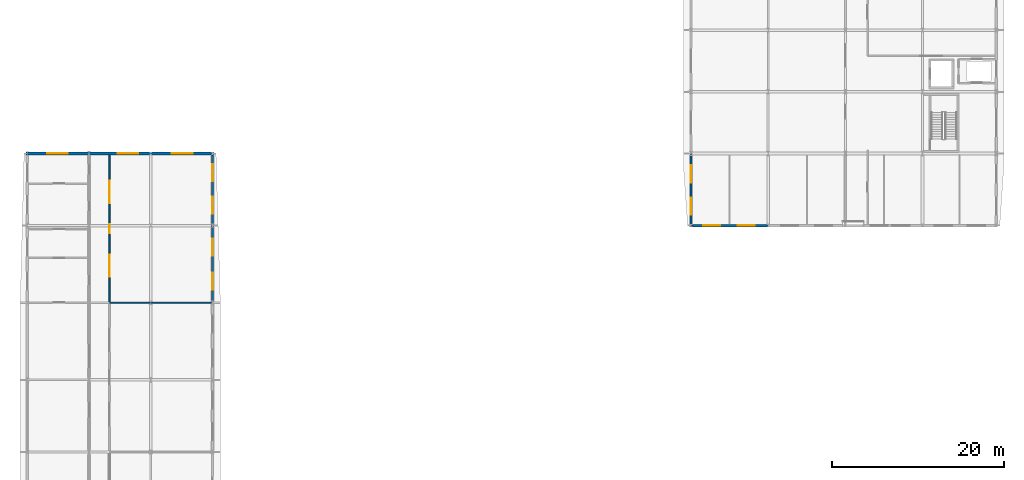
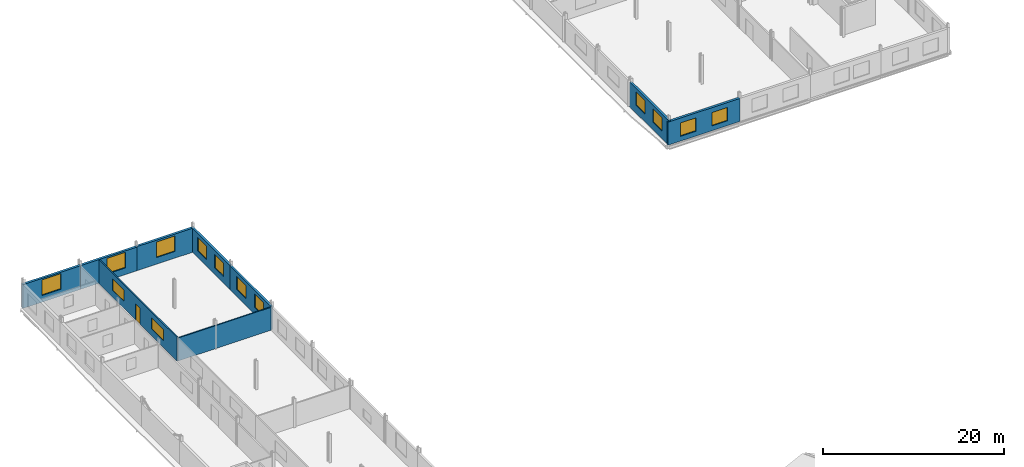
# One storey, part 43 of 49: 13 windows, 9 walls, 1 door, 14 openings.
"""IFC4 building model written with IfcOpenShell, lengths in metres."""

import ifcopenshell
import ifcopenshell.guid

model = None  # the IFC model being written
_history = None  # IfcOwnerHistory: only IFC2X3 demands one
_inside = {}  # id of a spatial element -> (the spatial element, [elements in it])
_under = {}  # id of a project, library or spatial element -> (it, [spatial elements below it])
_declared = {}  # id of a project -> (the project, [libraries it declares])
_typed = {}  # id of a type object -> (the type object, [elements of that type])
_made_of = {}  # id of a material, layer set ... -> (it, [elements and type objects made of it])


def new_model(schema):
    """Start an empty IFC model of exactly this schema.

    Asked for "IFC4X3", IfcOpenShell would pick the latest addendum, in which some entities
    have other attributes; the version numbers below select the first issue.
    IFC2X3 requires an IfcOwnerHistory on every rooted entity: one is made here for all.
    """
    global model, _history
    if schema == "IFC4X3":
        model = ifcopenshell.file(schema_version=(4, 3, 0, 0))
    else:
        model = ifcopenshell.file(schema=schema)
    _inside.clear()
    _under.clear()
    _declared.clear()
    _typed.clear()
    _made_of.clear()
    _history = None
    if model.schema == "IFC2X3":
        org = make("IfcOrganization", Name="unknown")
        user = make(
            "IfcPersonAndOrganization",
            ThePerson=make("IfcPerson", FamilyName="unknown"),
            TheOrganization=org,
        )
        app = make(
            "IfcApplication",
            ApplicationDeveloper=org,
            Version="unknown",
            ApplicationFullName="unknown",
            ApplicationIdentifier="unknown",
        )
        _history = make(
            "IfcOwnerHistory",
            OwningUser=user,
            OwningApplication=app,
            ChangeAction="ADDED",
            CreationDate=0,
        )
    return model


def make(cls, **values):
    """One entity of the class cls with the attributes given. An attribute that is None is left unset."""
    return model.create_entity(
        cls, **{name: value for name, value in values.items() if value is not None}
    )


def rooted(cls, **values):
    """An entity with a GlobalId (a new one), such as an element, a storey or a relation."""
    return make(cls, GlobalId=ifcopenshell.guid.new(), OwnerHistory=_history, **values)


def si_unit(unit_type, name, prefix=None):
    """IfcSIUnit, for example si_unit("LENGTHUNIT", "METRE", prefix="MILLI")."""
    return make("IfcSIUnit", UnitType=unit_type, Prefix=prefix, Name=name)


def assignment(units):
    """IfcUnitAssignment: the units of a project."""
    return None if units is None else make("IfcUnitAssignment", Units=units)


def point(xyz):
    """IfcCartesianPoint."""
    return None if xyz is None else make("IfcCartesianPoint", Coordinates=xyz)


def direction(xyz):
    """IfcDirection."""
    return None if xyz is None else make("IfcDirection", DirectionRatios=xyz)


def frame(location, z_axis=None, x_axis=None):
    """IfcAxis2Placement3D, a coordinate frame: its origin and axes. An axis left out is left unset."""
    return make(
        "IfcAxis2Placement3D",
        Location=point(location),
        Axis=direction(z_axis),
        RefDirection=direction(x_axis),
    )


def frame_2d(location, x_axis=None):
    """IfcAxis2Placement2D, a coordinate frame in the plane: its origin and x axis."""
    return make(
        "IfcAxis2Placement2D", Location=point(location), RefDirection=direction(x_axis)
    )


def origin():
    """The frame at (0, 0, 0) with its axes left unset."""
    return frame((0.0, 0.0, 0.0))


def place(relative_to, where):
    """IfcLocalPlacement: puts the frame where relative to a parent placement (None: the world)."""
    return make(
        "IfcLocalPlacement", PlacementRelTo=relative_to, RelativePlacement=where
    )


def context(
    kind, dimensions, precision=None, world=None, true_north=None, identifier=None
):
    """IfcGeometricRepresentationContext, for example the 3D "Model" context."""
    return make(
        "IfcGeometricRepresentationContext",
        ContextIdentifier=identifier,
        ContextType=kind,
        CoordinateSpaceDimension=dimensions,
        Precision=precision,
        WorldCoordinateSystem=world,
        TrueNorth=true_north,
    )


def subcontext(parent, identifier, kind, view, scale=None):
    """IfcGeometricRepresentationSubContext, for example "Body" below "Model"."""
    return make(
        "IfcGeometricRepresentationSubContext",
        ContextIdentifier=identifier,
        ContextType=kind,
        ParentContext=parent,
        TargetScale=scale,
        TargetView=view,
    )


def project(units=None, contexts=None):
    """IfcProject with its units and contexts."""
    return rooted(
        "IfcProject",
        Name="project",
        RepresentationContexts=contexts,
        UnitsInContext=assignment(units),
    )


def spatial(cls, under=None, at=None, **own):
    """A site, building, storey or space (cls), placed at a placement, below another one or the project."""
    s = rooted(cls, ObjectPlacement=at, **own)
    if under is not None:
        _under.setdefault(under.id(), (under, []))[1].append(s)
    return s


def profile(cls, at=None, kind="AREA", **sizes):
    """A parametric profile (cls). Its sizes go by their IFC names, for example OverallWidth=200.0."""
    return make(cls, ProfileType=kind, Position=at, **sizes)


def rectangle(**sizes):
    """IfcRectangleProfileDef."""
    return profile("IfcRectangleProfileDef", **sizes)


def extrude(swept, where, along, depth):
    """IfcExtrudedAreaSolid: the profile swept, set in the frame where, extruded along a direction by depth."""
    return make(
        "IfcExtrudedAreaSolid",
        SweptArea=swept,
        Position=where,
        ExtrudedDirection=direction(along),
        Depth=depth,
    )


def shape(context_of_items, identifier, shape_type, items):
    """IfcShapeRepresentation: the items that make up one representation, for example the "Body"."""
    return make(
        "IfcShapeRepresentation",
        ContextOfItems=context_of_items,
        RepresentationIdentifier=identifier,
        RepresentationType=shape_type,
        Items=items,
    )


def material(Name=None, Category=None):
    """IfcMaterial."""
    return make("IfcMaterial", Name=Name, Category=Category)


def layer(
    of_material, thickness, ventilated=None, Name=None, Category=None, Priority=None
):
    """IfcMaterialLayer: one layer of a wall or slab, of a material (None: an air gap)."""
    return make(
        "IfcMaterialLayer",
        Material=of_material,
        LayerThickness=thickness,
        IsVentilated=ventilated,
        Name=Name,
        Category=Category,
        Priority=Priority,
    )


def layer_set(layers, Name=None):
    """IfcMaterialLayerSet."""
    return make("IfcMaterialLayerSet", MaterialLayers=layers, LayerSetName=Name)


def made_of(thing, what):
    """Note that an element or type object is made of a material, layer set ...; save() writes the relation."""
    if what is not None:
        _made_of.setdefault(what.id(), (what, []))[1].append(thing)
    return thing


def type_object(cls, material=None, **own):
    """A type object (cls), such as IfcWallType, which elements share."""
    return made_of(rooted(cls, **own), material)


def element(
    cls,
    number,
    at=None,
    inside=None,
    cuts=None,
    type_object=None,
    material=None,
    context=None,
    identifier="Body",
    shape_type=None,
    held_by="IfcProductDefinitionShape",
    body=None,
    shapes=None,
    **own,
):
    """One element of the class cls, such as IfcWall. Its Tag is "e" and its number.

    at: its placement. inside: the storey or other place that contains it. cuts: it is an
    opening in that element (IfcRelVoidsElement). A single representation is given by context,
    identifier, shape_type and body (its items); several are given by shapes. held_by: the class
    of the entity that holds the representations. save() writes the other relations.
    """
    e = rooted(cls, Tag="e%d" % number, ObjectPlacement=at, **own)
    if body is not None:
        shapes = [shape(context, identifier, shape_type, body)]
    if shapes is not None:
        e.Representation = make(held_by, Representations=shapes)
    if inside is not None:
        _inside.setdefault(inside.id(), (inside, []))[1].append(e)
    if cuts is not None:
        rooted(
            "IfcRelVoidsElement", RelatingBuildingElement=cuts, RelatedOpeningElement=e
        )
    if type_object is not None:
        _typed.setdefault(type_object.id(), (type_object, []))[1].append(e)
    return made_of(e, material)


def fill(opening, filler):
    """IfcRelFillsElement: the door or window that sits in an opening."""
    return rooted(
        "IfcRelFillsElement",
        RelatingOpeningElement=opening,
        RelatedBuildingElement=filler,
    )


def aggregate(whole, parts):
    """IfcRelAggregates: a whole, such as a stair, and the parts it consists of."""
    return rooted("IfcRelAggregates", RelatingObject=whole, RelatedObjects=parts)


def save(model, path):
    """Write the relations noted so far, then the file.

    IfcRelAggregates (storeys below a building ...), IfcRelContainedInSpatialStructure (elements
    in a storey), IfcRelDefinesByType, IfcRelAssociatesMaterial and IfcRelDeclares: one each for
    every whole, place, type object, material and project.
    """
    for whole, parts in _under.values():
        aggregate(whole, parts)
    for where, things in _inside.values():
        rooted(
            "IfcRelContainedInSpatialStructure",
            RelatedElements=things,
            RelatingStructure=where,
        )
    for kind, things in _typed.values():
        rooted("IfcRelDefinesByType", RelatedObjects=things, RelatingType=kind)
    for what, things in _made_of.values():
        rooted("IfcRelAssociatesMaterial", RelatedObjects=things, RelatingMaterial=what)
    for by, libraries in _declared.values():
        rooted("IfcRelDeclares", RelatingContext=by, RelatedDefinitions=libraries)
    model.write(path)


model = new_model("IFC4")

# Units and contexts
model_context = context("Model", 3, precision=1e-05, world=origin(), true_north=direction((0.0, 1.0)))
body_context = subcontext(model_context, "Body", "Model", "MODEL_VIEW")
ifc_project = project(units=[si_unit("LENGTHUNIT", "METRE"), si_unit("AREAUNIT", "SQUARE_METRE"), si_unit("VOLUMEUNIT", "CUBIC_METRE"), si_unit("PLANEANGLEUNIT", "RADIAN"), si_unit("MASSUNIT", "GRAM", prefix="KILO")], contexts=[model_context])

# Site, building, storey
site_placement = place(None, origin())
site = spatial("IfcSite", under=ifc_project, at=site_placement, CompositionType="ELEMENT")
building_placement = place(site_placement, origin())
building = spatial("IfcBuilding", under=site, at=building_placement, Name="Vinh Khe Railworks Police Headquarters", CompositionType="ELEMENT")
storey_placement = place(building_placement, frame((0.0, 0.0, 17.10009765625)))
storey = spatial("IfcBuildingStorey", under=building, at=storey_placement, Name="L04", CompositionType="ELEMENT", Elevation=17.10009765625)

# Wall, openings, windows
ifc_material_1 = material(Name="Clay brickwork", Category="masonry")
ifc_layer_1 = layer(ifc_material_1, 0.260009765625)
ifc_layer_set_1 = layer_set([ifc_layer_1], Name="Clay brickwork")
wall_type_1 = type_object("IfcWallType", Name="EW-BRK-260", PredefinedType="SOLIDWALL", material=ifc_layer_set_1)
wall_1_placement = place(storey_placement, frame((22.199951171875, 113.39990234375, 0.0), z_axis=(0.0, 0.0, 1.0), x_axis=(0.0, 1.0, 0.0)))
wall_1 = element("IfcWall", 1, at=wall_1_placement, inside=storey, type_object=wall_type_1, Name="Exterior Brick Wall EW-L04-V5E-15", PredefinedType="SOLIDWALL", context=body_context, shape_type="SweptSolid", body=[
    extrude(rectangle(XDim=9.0, YDim=0.260009765625, at=frame_2d((4.5, 0.0))), origin(), (0.0, 0.0, 1.0), 3.204833984375),
])
opening_1_placement = place(wall_1_placement, frame((1.52001953125, 0.0, 0.89990234375)))
opening_1 = element("IfcOpeningElement", 2, at=opening_1_placement, cuts=wall_1, Name="Opening WN-04", PredefinedType="OPENING", context=body_context, shape_type="SweptSolid", body=[
    extrude(rectangle(XDim=2.0, YDim=1.800048828125, at=frame_2d((1.0, 0.89990234375))), frame((0.0, 0.14501953125, 0.0), z_axis=(0.0, -1.0, 0.0), x_axis=(1.0, 0.0, 0.0)), (0.0, 0.0, 1.0), 0.289794921875),
])
opening_2_placement = place(wall_1_placement, frame((5.47998046875, 0.0, 0.89990234375)))
opening_2 = element("IfcOpeningElement", 3, at=opening_2_placement, cuts=wall_1, Name="Opening WN-04", PredefinedType="OPENING", context=body_context, shape_type="SweptSolid", body=[
    extrude(rectangle(XDim=2.0, YDim=1.800048828125, at=frame_2d((1.0, 0.89990234375))), frame((0.0, 0.14501953125, 0.0), z_axis=(0.0, -1.0, 0.0), x_axis=(1.0, 0.0, 0.0)), (0.0, 0.0, 1.0), 0.289794921875),
])
ifc_material_2 = material(Name="Double-glazed solar-control glass in dark steel frame", Category="steel")
window_type_1 = type_object("IfcWindowType", Name="WIN-WN-04", PartitioningType="DOUBLE_PANEL_VERTICAL", PredefinedType="WINDOW", material=ifc_material_2)
window_1_placement = place(opening_1_placement, origin())
window_1 = element("IfcWindow", 4, at=window_1_placement, inside=storey, type_object=window_type_1, Name="Casement Window WN-04", OverallHeight=1.800048828125, OverallWidth=2.0, PartitioningType="SINGLE_PANEL", PredefinedType="WINDOW", context=body_context, shape_type="SweptSolid", body=[
    extrude(rectangle(XDim=2.0, YDim=1.800048828125, at=frame_2d((1.0, 0.89990234375))), frame((0.0, 0.030029296875, 0.0), z_axis=(0.0, -1.0, 0.0), x_axis=(1.0, 0.0, 0.0)), (0.0, 0.0, 1.0), 0.06005859375),
])
fill(opening_1, window_1)
window_2_placement = place(opening_2_placement, origin())
window_2 = element("IfcWindow", 5, at=window_2_placement, inside=storey, type_object=window_type_1, Name="Casement Window WN-04", OverallHeight=1.800048828125, OverallWidth=2.0, PartitioningType="SINGLE_PANEL", PredefinedType="WINDOW", context=body_context, shape_type="SweptSolid", body=[
    extrude(rectangle(XDim=2.0, YDim=1.800048828125, at=frame_2d((1.0, 0.89990234375))), frame((0.0, 0.030029296875, 0.0), z_axis=(0.0, -1.0, 0.0), x_axis=(1.0, 0.0, 0.0)), (0.0, 0.0, 1.0), 0.06005859375),
])
fill(opening_2, window_2)

wall_2_placement = place(storey_placement, frame((22.199951171875, 122.39990234375, 0.0), z_axis=(0.0, 0.0, 1.0), x_axis=(0.0, 1.0, 0.0)))
wall_2 = element("IfcWall", 6, at=wall_2_placement, inside=storey, type_object=wall_type_1, Name="Exterior Brick Wall EW-L04-V5E-16", PredefinedType="SOLIDWALL", context=body_context, shape_type="SweptSolid", body=[
    extrude(rectangle(XDim=8.530029296875, YDim=0.260009765625, at=frame_2d((4.26513671875, 0.0))), origin(), (0.0, 0.0, 1.0), 3.2548828125),
])
opening_3_placement = place(wall_2_placement, frame((1.388427734375, 0.0, 0.89990234375)))
opening_3 = element("IfcOpeningElement", 7, at=opening_3_placement, cuts=wall_2, Name="Opening WN-04", PredefinedType="OPENING", context=body_context, shape_type="SweptSolid", body=[
    extrude(rectangle(XDim=2.0, YDim=1.800048828125, at=frame_2d((1.0, 0.89990234375))), frame((0.0, 0.14501953125, 0.0), z_axis=(0.0, -1.0, 0.0), x_axis=(1.0, 0.0, 0.0)), (0.0, 0.0, 1.0), 0.289794921875),
])
opening_4_placement = place(wall_2_placement, frame((5.1416015625, 0.0, 0.89990234375)))
opening_4 = element("IfcOpeningElement", 8, at=opening_4_placement, cuts=wall_2, Name="Opening WN-04", PredefinedType="OPENING", context=body_context, shape_type="SweptSolid", body=[
    extrude(rectangle(XDim=2.0, YDim=1.800048828125, at=frame_2d((1.0, 0.89990234375))), frame((0.0, 0.14501953125, 0.0), z_axis=(0.0, -1.0, 0.0), x_axis=(1.0, 0.0, 0.0)), (0.0, 0.0, 1.0), 0.289794921875),
])
window_3_placement = place(opening_3_placement, origin())
window_3 = element("IfcWindow", 9, at=window_3_placement, inside=storey, type_object=window_type_1, Name="Casement Window WN-04", OverallHeight=1.800048828125, OverallWidth=2.0, PartitioningType="SINGLE_PANEL", PredefinedType="WINDOW", context=body_context, shape_type="SweptSolid", body=[
    extrude(rectangle(XDim=2.0, YDim=1.800048828125, at=frame_2d((1.0, 0.89990234375))), frame((0.0, 0.030029296875, 0.0), z_axis=(0.0, -1.0, 0.0), x_axis=(1.0, 0.0, 0.0)), (0.0, 0.0, 1.0), 0.06005859375),
])
fill(opening_3, window_3)
window_4_placement = place(opening_4_placement, origin())
window_4 = element("IfcWindow", 10, at=window_4_placement, inside=storey, type_object=window_type_1, Name="Casement Window WN-04", OverallHeight=1.800048828125, OverallWidth=2.0, PartitioningType="SINGLE_PANEL", PredefinedType="WINDOW", context=body_context, shape_type="SweptSolid", body=[
    extrude(rectangle(XDim=2.0, YDim=1.800048828125, at=frame_2d((1.0, 0.89990234375))), frame((0.0, 0.030029296875, 0.0), z_axis=(0.0, -1.0, 0.0), x_axis=(1.0, 0.0, 0.0)), (0.0, 0.0, 1.0), 0.06005859375),
])
fill(opening_4, window_4)

wall_3_placement = place(storey_placement, frame((78.0, 122.27001953125, 0.0), z_axis=(0.0, 0.0, 1.0), x_axis=(0.0, 1.0, 0.0)))
wall_3 = element("IfcWall", 11, at=wall_3_placement, inside=storey, type_object=wall_type_1, Name="Exterior Brick Wall EW-L04-V6W-01", PredefinedType="SOLIDWALL", context=body_context, shape_type="SweptSolid", body=[
    extrude(rectangle(XDim=8.530029296875, YDim=0.260009765625, at=frame_2d((4.26513671875, 0.0))), origin(), (0.0, 0.0, 1.0), 3.344970703125),
])
opening_5_placement = place(wall_3_placement, frame((1.388427734375, 0.0, 1.050048828125)))
opening_5 = element("IfcOpeningElement", 12, at=opening_5_placement, cuts=wall_3, Name="Opening WN-04", PredefinedType="OPENING", context=body_context, shape_type="SweptSolid", body=[
    extrude(rectangle(XDim=2.0, YDim=1.800048828125, at=frame_2d((1.0, 0.89990234375))), frame((0.0, 0.14501953125, 0.0), z_axis=(0.0, -1.0, 0.0), x_axis=(1.0, 0.0, 0.0)), (0.0, 0.0, 1.0), 0.289794921875),
])
opening_6_placement = place(wall_3_placement, frame((5.1416015625, 0.0, 1.050048828125)))
opening_6 = element("IfcOpeningElement", 13, at=opening_6_placement, cuts=wall_3, Name="Opening WN-04", PredefinedType="OPENING", context=body_context, shape_type="SweptSolid", body=[
    extrude(rectangle(XDim=2.0, YDim=1.800048828125, at=frame_2d((1.0, 0.89990234375))), frame((0.0, 0.14501953125, 0.0), z_axis=(0.0, -1.0, 0.0), x_axis=(1.0, 0.0, 0.0)), (0.0, 0.0, 1.0), 0.289794921875),
])
window_5_placement = place(opening_5_placement, origin())
window_5 = element("IfcWindow", 14, at=window_5_placement, inside=storey, type_object=window_type_1, Name="Casement Window WN-04", OverallHeight=1.800048828125, OverallWidth=2.0, PartitioningType="SINGLE_PANEL", PredefinedType="WINDOW", context=body_context, shape_type="SweptSolid", body=[
    extrude(rectangle(XDim=2.0, YDim=1.800048828125, at=frame_2d((1.0, 0.89990234375))), frame((0.0, 0.030029296875, 0.0), z_axis=(0.0, -1.0, 0.0), x_axis=(1.0, 0.0, 0.0)), (0.0, 0.0, 1.0), 0.06005859375),
])
fill(opening_5, window_5)
window_6_placement = place(opening_6_placement, origin())
window_6 = element("IfcWindow", 15, at=window_6_placement, inside=storey, type_object=window_type_1, Name="Casement Window WN-04", OverallHeight=1.800048828125, OverallWidth=2.0, PartitioningType="SINGLE_PANEL", PredefinedType="WINDOW", context=body_context, shape_type="SweptSolid", body=[
    extrude(rectangle(XDim=2.0, YDim=1.800048828125, at=frame_2d((1.0, 0.89990234375))), frame((0.0, 0.030029296875, 0.0), z_axis=(0.0, -1.0, 0.0), x_axis=(1.0, 0.0, 0.0)), (0.0, 0.0, 1.0), 0.06005859375),
])
fill(opening_6, window_6)

# Wall, opening, window
ifc_layer_2 = layer(ifc_material_1, 0.300048828125)
ifc_layer_set_2 = layer_set([ifc_layer_2], Name="Clay brickwork")
wall_type_2 = type_object("IfcWallType", Name="EW-BRK-300", PredefinedType="SOLIDWALL", material=ifc_layer_set_2)
wall_4_placement = place(storey_placement, frame((0.449951171875, 130.800048828125, 0.0), z_axis=(0.0, 0.0, 1.0), x_axis=(1.0, 0.0, 0.0)))
wall_4 = element("IfcWall", 16, at=wall_4_placement, inside=storey, type_object=wall_type_2, Name="Exterior Brick Wall EW-L04-V5N-01", PredefinedType="SOLIDWALL", context=body_context, shape_type="SweptSolid", body=[
    extrude(rectangle(XDim=7.35009765625, YDim=0.300048828125, at=frame_2d((3.675048828125, 0.0))), origin(), (0.0, 0.0, 1.0), 3.19482421875),
])
opening_7_placement = place(wall_4_placement, frame((2.47509765625, 0.0, 0.89990234375)))
opening_7 = element("IfcOpeningElement", 17, at=opening_7_placement, cuts=wall_4, Name="Opening WN-02", PredefinedType="OPENING", context=body_context, shape_type="SweptSolid", body=[
    extrude(rectangle(XDim=2.39990234375, YDim=2.10009765625, at=frame_2d((1.199951171875, 1.050048828125))), frame((0.0, 0.1650390625, 0.0), z_axis=(0.0, -1.0, 0.0), x_axis=(1.0, 0.0, 0.0)), (0.0, 0.0, 1.0), 0.329833984375),
])
window_type_2 = type_object("IfcWindowType", Name="WIN-WN-02", PartitioningType="DOUBLE_PANEL_VERTICAL", PredefinedType="WINDOW", material=ifc_material_2)
window_7_placement = place(opening_7_placement, origin())
window_7 = element("IfcWindow", 18, at=window_7_placement, inside=storey, type_object=window_type_2, Name="Casement Window WN-02", OverallHeight=2.10009765625, OverallWidth=2.39990234375, PartitioningType="SINGLE_PANEL", PredefinedType="WINDOW", context=body_context, shape_type="SweptSolid", body=[
    extrude(rectangle(XDim=2.39990234375, YDim=2.10009765625, at=frame_2d((1.199951171875, 1.050048828125))), frame((0.0, 0.030029296875, 0.0), z_axis=(0.0, -1.0, 0.0), x_axis=(1.0, 0.0, 0.0)), (0.0, 0.0, 1.0), 0.06005859375),
])
fill(opening_7, window_7)

wall_5_placement = place(storey_placement, frame((7.800048828125, 130.800048828125, 0.0), z_axis=(0.0, 0.0, 1.0), x_axis=(1.0, 0.0, 0.0)))
wall_5 = element("IfcWall", 19, at=wall_5_placement, inside=storey, type_object=wall_type_2, Name="Exterior Brick Wall EW-L04-V5N-02", PredefinedType="SOLIDWALL", context=body_context, shape_type="SweptSolid", body=[
    extrude(rectangle(XDim=7.199951171875, YDim=0.300048828125, at=frame_2d((3.60009765625, 0.0))), origin(), (0.0, 0.0, 1.0), 3.19482421875),
])
opening_8_placement = place(wall_5_placement, frame((3.35009765625, 0.0, 0.89990234375)))
opening_8 = element("IfcOpeningElement", 20, at=opening_8_placement, cuts=wall_5, Name="Opening WN-02", PredefinedType="OPENING", context=body_context, shape_type="SweptSolid", body=[
    extrude(rectangle(XDim=2.39990234375, YDim=2.10009765625, at=frame_2d((1.199951171875, 1.050048828125))), frame((0.0, 0.1650390625, 0.0), z_axis=(0.0, -1.0, 0.0), x_axis=(1.0, 0.0, 0.0)), (0.0, 0.0, 1.0), 0.329833984375),
])
window_8_placement = place(opening_8_placement, origin())
window_8 = element("IfcWindow", 21, at=window_8_placement, inside=storey, type_object=window_type_2, Name="Casement Window WN-02", OverallHeight=2.10009765625, OverallWidth=2.39990234375, PartitioningType="SINGLE_PANEL", PredefinedType="WINDOW", context=body_context, shape_type="SweptSolid", body=[
    extrude(rectangle(XDim=2.39990234375, YDim=2.10009765625, at=frame_2d((1.199951171875, 1.050048828125))), frame((0.0, 0.030029296875, 0.0), z_axis=(0.0, -1.0, 0.0), x_axis=(1.0, 0.0, 0.0)), (0.0, 0.0, 1.0), 0.06005859375),
])
fill(opening_8, window_8)

wall_6_placement = place(storey_placement, frame((15.0, 130.800048828125, 0.0), z_axis=(0.0, 0.0, 1.0), x_axis=(1.0, 0.0, 0.0)))
wall_6 = element("IfcWall", 22, at=wall_6_placement, inside=storey, type_object=wall_type_2, Name="Exterior Brick Wall EW-L04-V5N-03", PredefinedType="SOLIDWALL", context=body_context, shape_type="SweptSolid", body=[
    extrude(rectangle(XDim=7.35009765625, YDim=0.300048828125, at=frame_2d((3.675048828125, 0.0))), origin(), (0.0, 0.0, 1.0), 3.244873046875),
])
opening_9_placement = place(wall_6_placement, frame((2.47509765625, 0.0, 0.89990234375)))
opening_9 = element("IfcOpeningElement", 23, at=opening_9_placement, cuts=wall_6, Name="Opening WN-02", PredefinedType="OPENING", context=body_context, shape_type="SweptSolid", body=[
    extrude(rectangle(XDim=2.39990234375, YDim=2.10009765625, at=frame_2d((1.199951171875, 1.050048828125))), frame((0.0, 0.1650390625, 0.0), z_axis=(0.0, -1.0, 0.0), x_axis=(1.0, 0.0, 0.0)), (0.0, 0.0, 1.0), 0.329833984375),
])
window_9_placement = place(opening_9_placement, origin())
window_9 = element("IfcWindow", 24, at=window_9_placement, inside=storey, type_object=window_type_2, Name="Casement Window WN-02", OverallHeight=2.10009765625, OverallWidth=2.39990234375, PartitioningType="SINGLE_PANEL", PredefinedType="WINDOW", context=body_context, shape_type="SweptSolid", body=[
    extrude(rectangle(XDim=2.39990234375, YDim=2.10009765625, at=frame_2d((1.199951171875, 1.050048828125))), frame((0.0, 0.030029296875, 0.0), z_axis=(0.0, -1.0, 0.0), x_axis=(1.0, 0.0, 0.0)), (0.0, 0.0, 1.0), 0.06005859375),
])
fill(opening_9, window_9)

# Wall, openings, windows
wall_7_placement = place(storey_placement, frame((77.85009765625, 122.39990234375, 0.0), z_axis=(0.0, 0.0, 1.0), x_axis=(1.0, 0.0, 0.0)))
wall_7 = element("IfcWall", 25, at=wall_7_placement, inside=storey, type_object=wall_type_2, Name="Exterior Brick Wall EW-L04-V6S-01", PredefinedType="SOLIDWALL", context=body_context, shape_type="SweptSolid", body=[
    extrude(rectangle(XDim=9.14990234375, YDim=0.300048828125, at=frame_2d((4.574951171875, 0.0))), origin(), (0.0, 0.0, 1.0), 3.10498046875),
])
opening_10_placement = place(wall_7_placement, frame((1.56201171875, 0.0, 0.64990234375)))
opening_10 = element("IfcOpeningElement", 26, at=opening_10_placement, cuts=wall_7, Name="Opening WN-04", PredefinedType="OPENING", context=body_context, shape_type="SweptSolid", body=[
    extrude(rectangle(XDim=2.0, YDim=1.800048828125, at=frame_2d((1.0, 0.89990234375))), frame((0.0, 0.1650390625, 0.0), z_axis=(0.0, -1.0, 0.0), x_axis=(1.0, 0.0, 0.0)), (0.0, 0.0, 1.0), 0.329833984375),
])
opening_11_placement = place(wall_7_placement, frame((5.587890625, 0.0, 0.64990234375)))
opening_11 = element("IfcOpeningElement", 27, at=opening_11_placement, cuts=wall_7, Name="Opening WN-04", PredefinedType="OPENING", context=body_context, shape_type="SweptSolid", body=[
    extrude(rectangle(XDim=2.0, YDim=1.800048828125, at=frame_2d((1.0, 0.89990234375))), frame((0.0, 0.1650390625, 0.0), z_axis=(0.0, -1.0, 0.0), x_axis=(1.0, 0.0, 0.0)), (0.0, 0.0, 1.0), 0.329833984375),
])
window_10_placement = place(opening_10_placement, origin())
window_10 = element("IfcWindow", 28, at=window_10_placement, inside=storey, type_object=window_type_1, Name="Casement Window WN-04", OverallHeight=1.800048828125, OverallWidth=2.0, PartitioningType="SINGLE_PANEL", PredefinedType="WINDOW", context=body_context, shape_type="SweptSolid", body=[
    extrude(rectangle(XDim=2.0, YDim=1.800048828125, at=frame_2d((1.0, 0.89990234375))), frame((0.0, 0.030029296875, 0.0), z_axis=(0.0, -1.0, 0.0), x_axis=(1.0, 0.0, 0.0)), (0.0, 0.0, 1.0), 0.06005859375),
])
fill(opening_10, window_10)
window_11_placement = place(opening_11_placement, origin())
window_11 = element("IfcWindow", 29, at=window_11_placement, inside=storey, type_object=window_type_1, Name="Casement Window WN-04", OverallHeight=1.800048828125, OverallWidth=2.0, PartitioningType="SINGLE_PANEL", PredefinedType="WINDOW", context=body_context, shape_type="SweptSolid", body=[
    extrude(rectangle(XDim=2.0, YDim=1.800048828125, at=frame_2d((1.0, 0.89990234375))), frame((0.0, 0.030029296875, 0.0), z_axis=(0.0, -1.0, 0.0), x_axis=(1.0, 0.0, 0.0)), (0.0, 0.0, 1.0), 0.06005859375),
])
fill(opening_11, window_11)

# Wall
ifc_material_3 = material(Name="Gypsum plasterboard on steel stud", Category="steel")
ifc_layer_3 = layer(ifc_material_3, 0.1201171875)
ifc_layer_set_3 = layer_set([ifc_layer_3], Name="Gypsum plasterboard on steel stud")
wall_type_3 = type_object("IfcWallType", Name="IW-PART-120", PredefinedType="PARTITIONING", material=ifc_layer_set_3)
wall_8_placement = place(storey_placement, frame((10.199951171875, 113.39990234375, 0.0), z_axis=(0.0, 0.0, 1.0), x_axis=(1.0, 0.0, 0.0)))
element("IfcWall", 30, at=wall_8_placement, inside=storey, type_object=wall_type_3, Name="Interior Partition W-L04-V5-FIN4-DIV", PredefinedType="PARTITIONING", context=body_context, shape_type="SweptSolid", body=[
    extrude(rectangle(XDim=11.860107421875, YDim=0.14990234375, at=frame_2d((5.93017578125, 0.0))), origin(), (0.0, 0.0, 1.0), 3.094970703125),
])

# Wall, openings, door, windows
ifc_material_4 = material(Name="Gypsum plasterboard on acoustic steel stud", Category="steel")
ifc_layer_4 = layer(ifc_material_4, 0.14990234375)
ifc_layer_set_4 = layer_set([ifc_layer_4], Name="Gypsum plasterboard on acoustic steel stud")
wall_type_4 = type_object("IfcWallType", Name="IW-PART-150", PredefinedType="PARTITIONING", material=ifc_layer_set_4)
wall_9_placement = place(storey_placement, frame((10.199951171875, 113.39990234375, 0.0), z_axis=(0.0, 0.0, 1.0), x_axis=(0.0, 1.0, 0.0)))
wall_9 = element("IfcWall", 31, at=wall_9_placement, inside=storey, type_object=wall_type_4, Name="Interior Partition W-L04-V5-FIN4-CE", PredefinedType="PARTITIONING", context=body_context, shape_type="SweptSolid", body=[
    extrude(rectangle(XDim=17.239990234375, YDim=0.14990234375, at=frame_2d((8.6201171875, 0.0))), origin(), (0.0, 0.0, 1.0), 3.19482421875),
])
opening_12_placement = place(wall_9_placement, frame((8.094970703125, 0.0, 0.0)))
opening_12 = element("IfcOpeningElement", 32, at=opening_12_placement, cuts=wall_9, Name="Opening D-02", PredefinedType="OPENING", context=body_context, shape_type="SweptSolid", body=[
    extrude(rectangle(XDim=1.050048828125, YDim=2.14990234375, at=frame_2d((0.52490234375, 1.074951171875))), frame((0.0, 0.08984375, 0.0), z_axis=(0.0, -1.0, 0.0), x_axis=(1.0, 0.0, 0.0)), (0.0, 0.0, 1.0), 0.1796875),
])
opening_13_placement = place(wall_9_placement, frame((3.010009765625, 0.0, 0.949951171875)))
opening_13 = element("IfcOpeningElement", 33, at=opening_13_placement, cuts=wall_9, Name="Opening WN-07", PredefinedType="OPENING", context=body_context, shape_type="SweptSolid", body=[
    extrude(rectangle(XDim=2.60009765625, YDim=1.5, at=frame_2d((1.300048828125, 0.75))), frame((0.0, 0.08984375, 0.0), z_axis=(0.0, -1.0, 0.0), x_axis=(1.0, 0.0, 0.0)), (0.0, 0.0, 1.0), 0.1796875),
])
opening_14_placement = place(wall_9_placement, frame((11.6298828125, 0.0, 0.949951171875)))
opening_14 = element("IfcOpeningElement", 34, at=opening_14_placement, cuts=wall_9, Name="Opening WN-07", PredefinedType="OPENING", context=body_context, shape_type="SweptSolid", body=[
    extrude(rectangle(XDim=2.60009765625, YDim=1.5, at=frame_2d((1.300048828125, 0.75))), frame((0.0, 0.08984375, 0.0), z_axis=(0.0, -1.0, 0.0), x_axis=(1.0, 0.0, 0.0)), (0.0, 0.0, 1.0), 0.1796875),
])
ifc_material_5 = material(Name="Seasoned hardwood timber", Category="wood")
door_type = type_object("IfcDoorType", Name="ID-1050x2150", OperationType="NOTDEFINED", PredefinedType="DOOR", material=ifc_material_5)
door_placement = place(opening_12_placement, origin())
door = element("IfcDoor", 35, at=door_placement, inside=storey, type_object=door_type, Name="Digital Ledger Forensics Office Door", OperationType="SINGLE_SWING_RIGHT", OverallHeight=2.14990234375, OverallWidth=1.050048828125, PredefinedType="DOOR", context=body_context, shape_type="SweptSolid", body=[
    extrude(rectangle(XDim=1.050048828125, YDim=2.14990234375, at=frame_2d((0.52490234375, 1.074951171875))), frame((0.0, 0.02490234375, 0.0), z_axis=(0.0, -1.0, 0.0), x_axis=(1.0, 0.0, 0.0)), (0.0, 0.0, 1.0), 0.050048828125),
])
fill(opening_12, door)
window_type_3 = type_object("IfcWindowType", Name="WIN-WN-07", PartitioningType="DOUBLE_PANEL_HORIZONTAL", PredefinedType="WINDOW", material=ifc_material_2)
window_12_placement = place(opening_13_placement, origin())
window_12 = element("IfcWindow", 36, at=window_12_placement, inside=storey, type_object=window_type_3, Name="Interior Acoustic Vision Window WN-07", OverallHeight=1.5, OverallWidth=2.60009765625, PartitioningType="SINGLE_PANEL", PredefinedType="WINDOW", context=body_context, shape_type="SweptSolid", body=[
    extrude(rectangle(XDim=2.60009765625, YDim=1.5, at=frame_2d((1.300048828125, 0.75))), frame((0.0, 0.030029296875, 0.0), z_axis=(0.0, -1.0, 0.0), x_axis=(1.0, 0.0, 0.0)), (0.0, 0.0, 1.0), 0.06005859375),
])
fill(opening_13, window_12)
window_13_placement = place(opening_14_placement, origin())
window_13 = element("IfcWindow", 37, at=window_13_placement, inside=storey, type_object=window_type_3, Name="Interior Acoustic Vision Window WN-07", OverallHeight=1.5, OverallWidth=2.60009765625, PartitioningType="SINGLE_PANEL", PredefinedType="WINDOW", context=body_context, shape_type="SweptSolid", body=[
    extrude(rectangle(XDim=2.60009765625, YDim=1.5, at=frame_2d((1.300048828125, 0.75))), frame((0.0, 0.030029296875, 0.0), z_axis=(0.0, -1.0, 0.0), x_axis=(1.0, 0.0, 0.0)), (0.0, 0.0, 1.0), 0.06005859375),
])
fill(opening_14, window_13)

save(model, "model.ifc")
